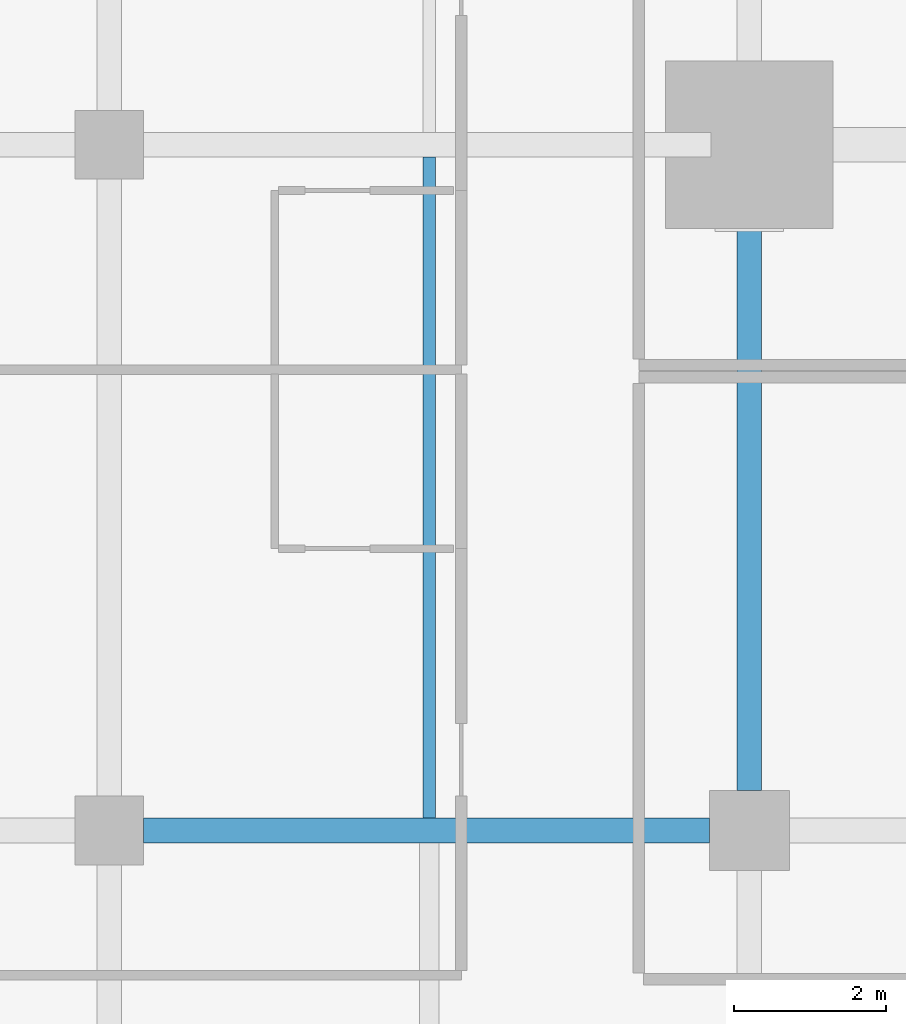
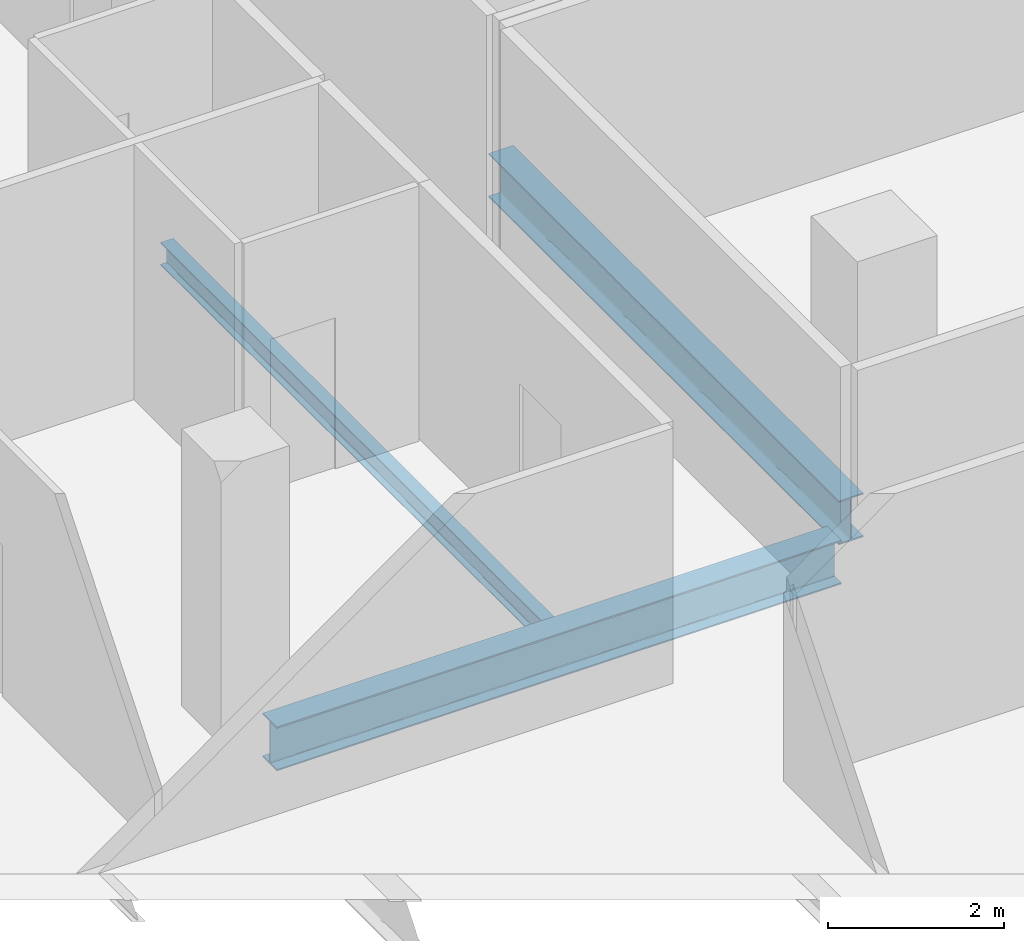
# One storey, part 11 of 39: 3 beams.
"""IFC4 building model written with IfcOpenShell, lengths in metres."""

from ifc_helpers import new_model, si_unit, direction, frame, origin, origin_2d, place, context, subcontext, project, spatial, i_section, extrude, material, material_profile, profile_set, type_object, element, save


model = new_model("IFC4")

# Units and contexts
model_context = context("Model", 3, precision=1e-05, world=origin(), true_north=direction((0.0, 1.0)))
body_context = subcontext(model_context, "Body", "Model", "MODEL_VIEW")
ifc_project = project(units=[si_unit("LENGTHUNIT", "METRE"), si_unit("AREAUNIT", "SQUARE_METRE"), si_unit("VOLUMEUNIT", "CUBIC_METRE"), si_unit("PLANEANGLEUNIT", "RADIAN"), si_unit("MASSUNIT", "GRAM", prefix="KILO")], contexts=[model_context])

# Site, building, storey
site_placement = place(None, origin())
site = spatial("IfcSite", under=ifc_project, at=site_placement, CompositionType="ELEMENT")
building_placement = place(site_placement, origin())
building = spatial("IfcBuilding", under=site, at=building_placement, Name="Maruvema Waterfront Hotel and Observation Tower", CompositionType="ELEMENT")
storey_placement = place(building_placement, frame((0.0, 0.0, 111.64990234375)))
storey = spatial("IfcBuildingStorey", under=building, at=storey_placement, Name="L27", CompositionType="ELEMENT", Elevation=111.64990234375)

# Beams
ifc_material_1 = material(Name="Steel ASTM A572 Grade 50", Category="steel")
ifc_material_profile_1 = material_profile(ifc_material_1, i_section(OverallWidth=0.323974609375, OverallDepth=0.611083984375, WebThickness=0.0126953125, FlangeThickness=0.01904296875, FilletRadius=0.01806640625, at=origin_2d()), Name="W610x155.0")
ifc_profile_set_1 = profile_set([ifc_material_profile_1], Name="Steel ASTM A572 Grade 50")
beam_type_1 = type_object("IfcBeamType", Name="Primary Floor Girder W610x155.0", PredefinedType="BEAM", material=ifc_profile_set_1)
beam_1_placement = place(storey_placement, frame((17.25, 18.0, -0.54541015625), z_axis=(1.0, 0.0, 0.0), x_axis=(0.0, 1.0, 0.0)))
element("IfcBeam", 1, at=beam_1_placement, inside=storey, type_object=beam_type_1, Name="L27 Floor Girder EW-14", PredefinedType="BEAM", context=body_context, shape_type="SweptSolid", body=[
    extrude(i_section(OverallWidth=0.323974609375, OverallDepth=0.611083984375, WebThickness=0.0126953125, FlangeThickness=0.01904296875, FilletRadius=0.01806640625, at=origin_2d()), origin(), (0.0, 0.0, 1.0), 7.425048828125),
])
beam_2_placement = place(storey_placement, frame((25.199951171875, 18.52490234375, -0.54541015625), z_axis=(0.0, 1.0, 0.0), x_axis=(-1.0, 0.0, 0.0)))
element("IfcBeam", 2, at=beam_2_placement, inside=storey, type_object=beam_type_1, Name="L27 Floor Girder NS-13", PredefinedType="BEAM", context=body_context, shape_type="SweptSolid", body=[
    extrude(i_section(OverallWidth=0.323974609375, OverallDepth=0.611083984375, WebThickness=0.0126953125, FlangeThickness=0.01904296875, FilletRadius=0.01806640625, at=origin_2d()), origin(), (0.0, 0.0, 1.0), 7.97509765625),
])
ifc_material_2 = material(Name="Steel ASTM A572 Grade 50", Category="steel")
ifc_material_profile_2 = material_profile(ifc_material_2, i_section(OverallWidth=0.1669921875, OverallDepth=0.31689453125, WebThickness=0.007568359375, FlangeThickness=0.01318359375, FilletRadius=0.012939453125, at=origin_2d()), Name="W310x52.0")
ifc_profile_set_2 = profile_set([ifc_material_profile_2], Name="Steel ASTM A572 Grade 50")
beam_type_2 = type_object("IfcBeamType", Name="Secondary Floor Joist W310x52.0", PredefinedType="JOIST", material=ifc_profile_set_2)
beam_3_placement = place(storey_placement, frame((21.0, 18.162109375, -0.3984375), z_axis=(0.0, 1.0, 0.0), x_axis=(-1.0, 0.0, 0.0)))
element("IfcBeam", 3, at=beam_3_placement, inside=storey, type_object=beam_type_2, Name="L27 Secondary Floor Joist JS-07", PredefinedType="JOIST", context=body_context, shape_type="SweptSolid", body=[
    extrude(i_section(OverallWidth=0.1669921875, OverallDepth=0.31689453125, WebThickness=0.007568359375, FlangeThickness=0.01318359375, FilletRadius=0.012939453125, at=origin_2d()), origin(), (0.0, 0.0, 1.0), 8.67578125),
])

save(model, "model.ifc")
